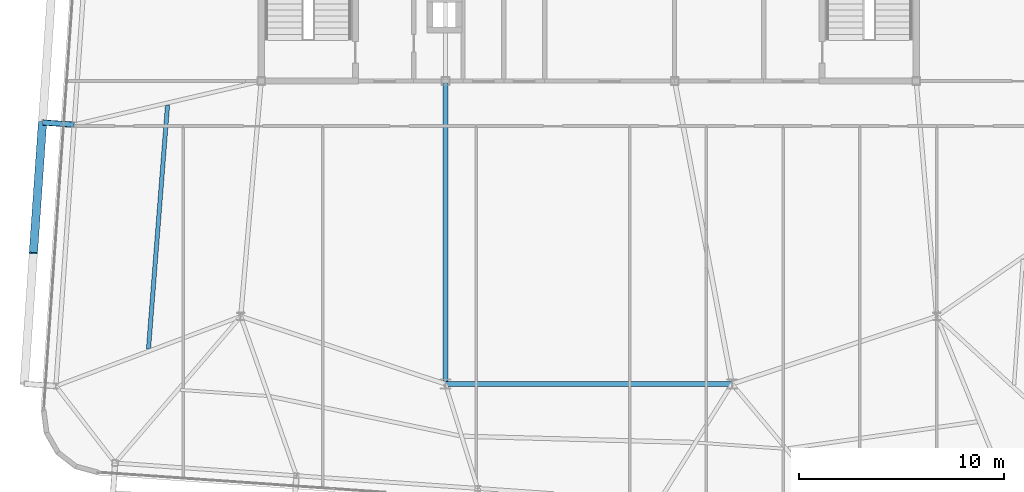
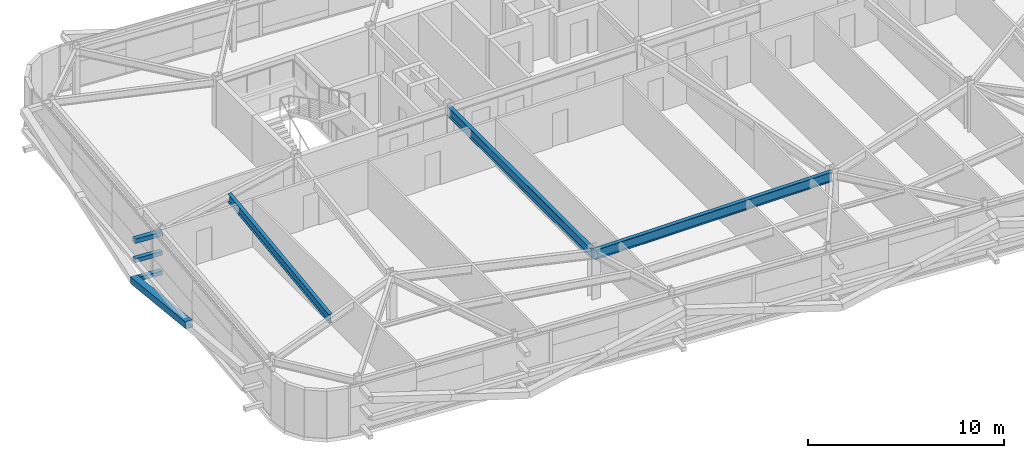
# One storey, part 10 of 39: 4 members, 3 beams.
"""IFC4 building model written with IfcOpenShell, lengths in metres."""

from ifc_helpers import new_model, si_unit, direction, frame, origin, origin_2d, place, context, subcontext, project, spatial, hollow_rectangle, i_section, extrude, source, transform, mapped, material, material_profile, profile_set, type_object, element, save


model = new_model("IFC4")

# Units and contexts
model_context = context("Model", 3, precision=1e-05, world=origin(), true_north=direction((0.0, 1.0)))
body_context = subcontext(model_context, "Body", "Model", "MODEL_VIEW")
ifc_project = project(units=[si_unit("LENGTHUNIT", "METRE"), si_unit("AREAUNIT", "SQUARE_METRE"), si_unit("VOLUMEUNIT", "CUBIC_METRE"), si_unit("PLANEANGLEUNIT", "RADIAN"), si_unit("MASSUNIT", "GRAM", prefix="KILO")], contexts=[model_context])

# Site, building, storey
site_placement = place(None, origin())
site = spatial("IfcSite", under=ifc_project, at=site_placement, CompositionType="ELEMENT")
building_placement = place(site_placement, origin())
building = spatial("IfcBuilding", under=site, at=building_placement, Name="Taldren Reach Tower", CompositionType="ELEMENT")
storey_placement = place(building_placement, frame((0.0, 0.0, 136.14990234375)))
storey = spatial("IfcBuildingStorey", under=building, at=storey_placement, Name="L41", CompositionType="ELEMENT", Elevation=136.14990234375)

# Beams
ifc_material_1 = material(Name="Steel Gr 350 (350PLUS)", Category="steel")
ifc_material_profile_1 = material_profile(ifc_material_1, i_section(OverallWidth=0.22802734375, OverallDepth=0.60205078125, WebThickness=0.010498046875, FlangeThickness=0.014892578125, at=origin_2d()), Name="610UB101")
ifc_profile_set_1 = profile_set([ifc_material_profile_1], Name="Steel Gr 350 (350PLUS)")
beam_type_1 = type_object("IfcBeamType", Name="BM-UB610B", PredefinedType="BEAM", material=ifc_profile_set_1)
shared_shape_1 = source(origin(), body_context, "Body", "SweptSolid", [
    extrude(i_section(OverallWidth=0.22802734375, OverallDepth=0.60205078125, WebThickness=0.010498046875, FlangeThickness=0.014892578125, at=origin_2d()), origin(), (0.0, 0.0, 1.0), 14.0),
])
beam_1_placement = place(storey_placement, frame((28.0, 9.199951171875, 2.629150390625), z_axis=(1.0, 0.0, 0.0), x_axis=(0.0, 1.0, 0.0)))
element("IfcBeam", 1, at=beam_1_placement, inside=storey, type_object=beam_type_1, Name="Core-spine girder L41-SP11", PredefinedType="BEAM", context=body_context, shape_type="MappedRepresentation", body=[
    mapped(shared_shape_1, transform((0.0, 0.0, 0.0), scale=1.0)),
])
shared_shape_2 = source(origin(), body_context, "Body", "SweptSolid", [
    extrude(i_section(OverallWidth=0.22802734375, OverallDepth=0.60205078125, WebThickness=0.010498046875, FlangeThickness=0.014892578125, at=origin_2d()), origin(), (0.0, 0.0, 1.0), 14.800048828125),
])
beam_2_placement = place(storey_placement, frame((28.0, 24.0, 2.629150390625), z_axis=(0.0, -1.0, 0.0), x_axis=(1.0, 0.0, 0.0)))
element("IfcBeam", 2, at=beam_2_placement, inside=storey, type_object=beam_type_1, Name="Core-spine girder L41-SP14", PredefinedType="BEAM", context=body_context, shape_type="MappedRepresentation", body=[
    mapped(shared_shape_2, transform((0.0, 0.0, 0.0), scale=1.0)),
])

# Members
ifc_material_2 = material(Name="Steel Gr 450 (C450L0)", Category="steel")
ifc_material_profile_2 = material_profile(ifc_material_2, hollow_rectangle(XDim=0.27490234375, YDim=0.27490234375, WallThickness=0.00927734375, at=origin_2d()), Name="275x275x9.3SHS")
ifc_profile_set_2 = profile_set([ifc_material_profile_2], Name="Steel Gr 450 (C450L0)")
member_type_1 = type_object("IfcMemberType", Name="MB-TIE273", PredefinedType="STRUT", material=ifc_profile_set_2)
shared_shape_3 = source(origin(), body_context, "Body", "SweptSolid", [
    extrude(hollow_rectangle(XDim=0.27490234375, YDim=0.27490234375, WallThickness=0.00927734375, at=origin_2d()), origin(), (0.0, 0.0, 1.0), 1.550048828125),
])
member_1_placement = place(storey_placement, frame((9.86181640625, 21.868408203125, 2.650146484375), z_axis=(-0.99756313426, 0.06976957191, 0.0), x_axis=(-0.06976957191, -0.99756313426, 0.0)))
element("IfcMember", 3, at=member_1_placement, inside=storey, type_object=member_type_1, Name="Exoskeleton diaphragm tie strut B3-W2 L41", PredefinedType="STRUT", context=body_context, shape_type="MappedRepresentation", body=[
    mapped(shared_shape_3, transform((0.0, 0.0, 0.0), scale=1.0)),
])
ifc_material_3 = material(Name="Steel Gr 350 (C350L0)", Category="steel")
ifc_material_profile_3 = material_profile(ifc_material_3, hollow_rectangle(XDim=0.25, YDim=0.25, WallThickness=0.010009765625, at=origin_2d()), Name="250x250x10.0SHS")
ifc_profile_set_3 = profile_set([ifc_material_profile_3], Name="Steel Gr 350 (C350L0)")
member_type_2 = type_object("IfcMemberType", Name="MB-POST250", PredefinedType="POST", material=ifc_profile_set_3)
shared_shape_4 = source(origin(), body_context, "Body", "SweptSolid", [
    extrude(hollow_rectangle(XDim=0.25, YDim=0.25, WallThickness=0.010009765625, at=origin_2d()), origin(), (0.0, 0.0, 1.0), 1.550048828125),
])
for number, where, z_axis, x_axis, name in (
    (4, (9.86181640625, 21.868408203125, 0.22021484375), (-0.99756313426, 0.06976957191, 0.0), (-0.06976957191, -0.99756313426, 0.0), "Exoskeleton base diaphragm tie strut B3-W2 L41"),
    (5, (9.86181640625, 21.868408203125, 1.43505859375), (-0.99756313426, 0.06976957191, 0.0), (-0.06976957191, -0.99756313426, 0.0), "Exoskeleton mid-tier diaphragm tie B3-W2 L41"),
):
    element("IfcMember", number, at=place(storey_placement, frame(where, z_axis=z_axis, x_axis=x_axis)), inside=storey, type_object=member_type_2, Name=name, PredefinedType="POST", context=body_context, shape_type="MappedRepresentation", body=[
        mapped(shared_shape_4, transform((0.0, 0.0, 0.0), scale=1.0)),
    ])

# Beam
ifc_material_profile_4 = material_profile(ifc_material_1, i_section(OverallWidth=0.208984375, OverallDepth=0.532958984375, WebThickness=0.01025390625, FlangeThickness=0.015625, at=origin_2d()), Name="530UB92.4")
ifc_profile_set_4 = profile_set([ifc_material_profile_4], Name="Steel Gr 350 (350PLUS)")
beam_type_2 = type_object("IfcBeamType", Name="BM-UB530A", PredefinedType="BEAM", material=ifc_profile_set_4)
shared_shape_5 = source(origin(), body_context, "Body", "SweptSolid", [
    extrude(i_section(OverallWidth=0.208984375, OverallDepth=0.532958984375, WebThickness=0.01025390625, FlangeThickness=0.015625, at=origin_2d()), origin(), (0.0, 0.0, 1.0), 11.965576171875),
])
beam_3_placement = place(storey_placement, frame((13.49267578125, 10.90478515625, 2.66357421875), z_axis=(0.077757433297, 0.996972307322, 0.0), x_axis=(-0.996972307322, 0.077757433297, 0.0)))
element("IfcBeam", 6, at=beam_3_placement, inside=storey, type_object=beam_type_2, Name="Secondary floor beam B3 J6 L41", PredefinedType="BEAM", context=body_context, shape_type="MappedRepresentation", body=[
    mapped(shared_shape_5, transform((0.0, 0.0, 0.0), scale=1.0)),
])

# Member
ifc_material_profile_5 = material_profile(ifc_material_2, hollow_rectangle(XDim=0.409912109375, YDim=0.409912109375, WallThickness=0.01611328125, at=origin_2d()), Name="410x410x16.0SHS")
ifc_profile_set_5 = profile_set([ifc_material_profile_5], Name="Steel Gr 450 (C450L0)")
member_type_3 = type_object("IfcMemberType", Name="MB-EXO406", PredefinedType="BRACE", material=ifc_profile_set_5)
shared_shape_6 = source(origin(), body_context, "Body", "SweptSolid", [
    extrude(hollow_rectangle(XDim=0.409912109375, YDim=0.409912109375, WallThickness=0.01611328125, at=origin_2d()), origin(), (0.0, 0.0, 1.0), 6.514404296875),
])
member_2_placement = place(storey_placement, frame((8.3154296875, 21.9765625, 0.22021484375), z_axis=(-0.068508304784, -0.980066016634, 0.186486501425), x_axis=(0.997565791441, -0.069731569223, 0.0)))
element("IfcMember", 7, at=member_2_placement, inside=storey, type_object=member_type_3, Name="Exoskeleton Diagrid Brace B3-W1 L41", PredefinedType="BRACE", context=body_context, shape_type="MappedRepresentation", body=[
    mapped(shared_shape_6, transform((0.0, 0.0, 0.0), scale=1.0)),
])

save(model, "model.ifc")
